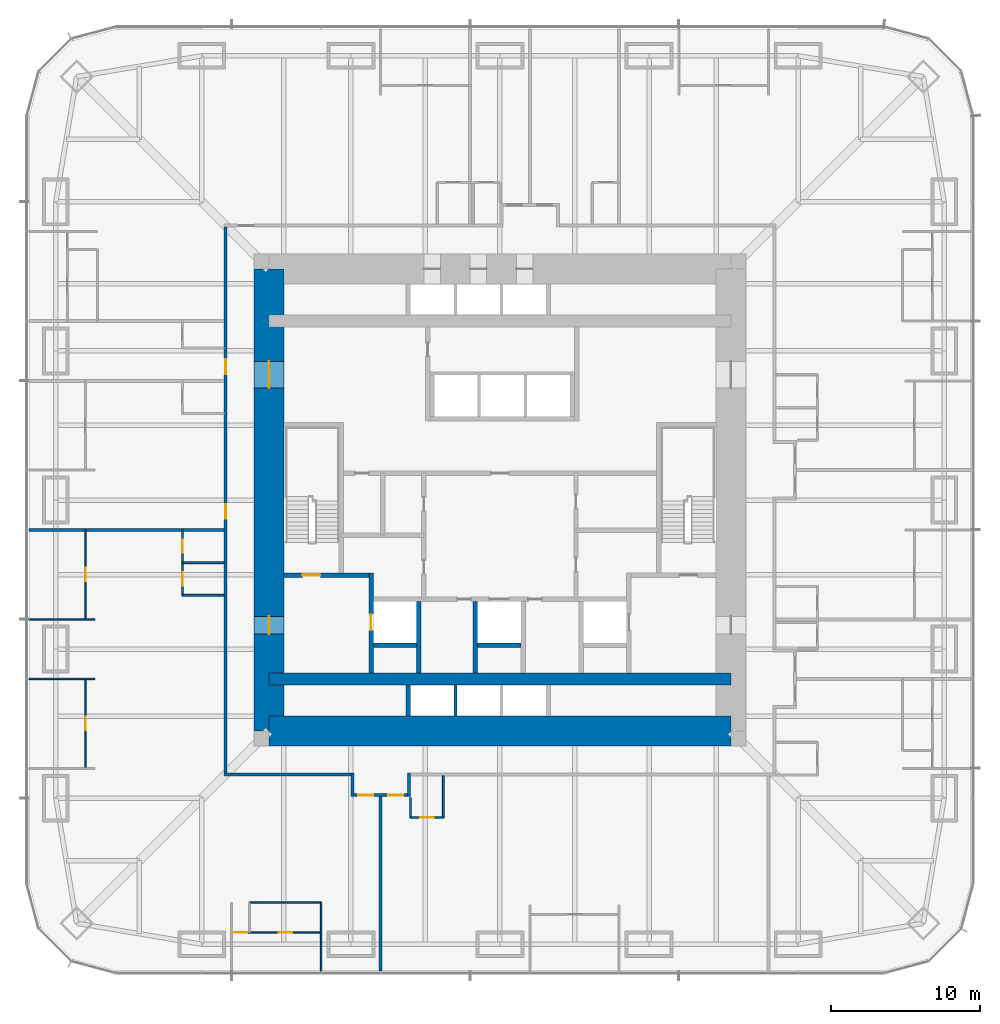
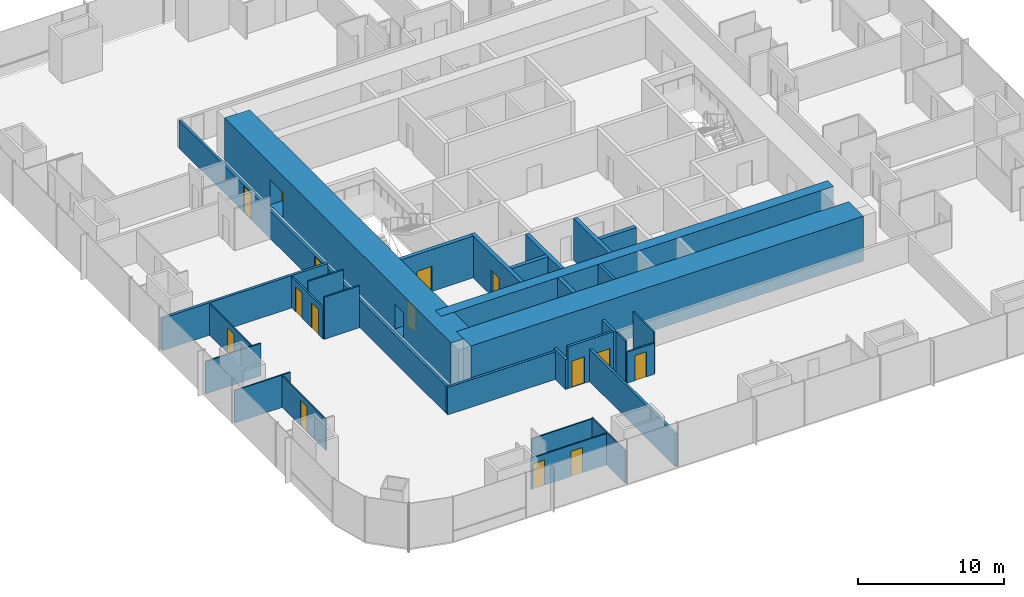
# One storey, part 12 of 17: 31 walls, 15 doors, 15 openings.
"""IFC4 building model written with IfcOpenShell, lengths in metres."""

from ifc_helpers import new_model, si_unit, direction, frame, frame_2d, origin, place, context, subcontext, project, spatial, rectangle, extrude, material, layer, layer_set, type_object, element, fill, save


model = new_model("IFC4")

# Units and contexts
model_context = context("Model", 3, precision=1e-05, world=origin(), true_north=direction((0.0, 1.0)))
body_context = subcontext(model_context, "Body", "Model", "MODEL_VIEW")
ifc_project = project(units=[si_unit("LENGTHUNIT", "METRE"), si_unit("AREAUNIT", "SQUARE_METRE"), si_unit("VOLUMEUNIT", "CUBIC_METRE"), si_unit("PLANEANGLEUNIT", "RADIAN"), si_unit("MASSUNIT", "GRAM", prefix="KILO")], contexts=[model_context])

# Site, building, storey
site_placement = place(None, origin())
site = spatial("IfcSite", under=ifc_project, at=site_placement, CompositionType="ELEMENT")
building_placement = place(site_placement, origin())
building = spatial("IfcBuilding", under=site, at=building_placement, Name="Khuree Lantern Residences", CompositionType="ELEMENT")
storey_placement = place(building_placement, frame((0.0, 0.0, 43.5)))
storey = spatial("IfcBuildingStorey", under=building, at=storey_placement, Name="L10", CompositionType="ELEMENT", Elevation=43.5)

# Wall, openings, doors
ifc_material_1 = material(Name="Moisture-resistant gypsum board on steel studs", Category="steel")
ifc_layer_1 = layer(ifc_material_1, 0.125)
ifc_layer_set_1 = layer_set([ifc_layer_1], Name="BATHROOM WALL BTW125")
wall_type_1 = type_object("IfcWallType", Name="BATHROOM WALL BTW125", PredefinedType="PARTITIONING", material=ifc_layer_set_1)
wall_1_placement = place(storey_placement, frame((-21.300048828125, -2.0, 0.0), z_axis=(0.0, 0.0, 1.0), x_axis=(0.0, -1.0, 0.0)))
wall_1 = element("IfcWall", 1, at=wall_1_placement, inside=storey, type_object=wall_type_1, Name="L10 BATHROOM WALL 08", PredefinedType="PARTITIONING", context=body_context, shape_type="SweptSolid", body=[
    extrude(rectangle(XDim=4.39990234375, YDim=0.125, at=frame_2d((2.199951171875, 0.0))), origin(), (0.0, 0.0, 1.0), 2.610107421875),
])
opening_1_placement = place(wall_1_placement, frame((0.64990234375, 0.0, 0.0)))
opening_1 = element("IfcOpeningElement", 2, at=opening_1_placement, cuts=wall_1, Name="Opening 10-050", PredefinedType="OPENING", context=body_context, shape_type="SweptSolid", body=[
    extrude(rectangle(XDim=0.89990234375, YDim=2.10009765625, at=frame_2d((0.449951171875, 1.050048828125))), frame((0.0, 0.072509765625, 0.0), z_axis=(0.0, -1.0, 0.0), x_axis=(1.0, 0.0, 0.0)), (0.0, 0.0, 1.0), 0.14501953125),
])
opening_2_placement = place(wall_1_placement, frame((2.85009765625, 0.0, 0.0)))
opening_2 = element("IfcOpeningElement", 3, at=opening_2_placement, cuts=wall_1, Name="Opening 10-051", PredefinedType="OPENING", context=body_context, shape_type="SweptSolid", body=[
    extrude(rectangle(XDim=0.89990234375, YDim=2.10009765625, at=frame_2d((0.449951171875, 1.050048828125))), frame((0.0, 0.072509765625, 0.0), z_axis=(0.0, -1.0, 0.0), x_axis=(1.0, 0.0, 0.0)), (0.0, 0.0, 1.0), 0.14501953125),
])
ifc_material_2 = material(Name="Timber door leaf in hardwood frame", Category="wood")
door_type_1 = type_object("IfcDoorType", Name="BATHROOM DOOR 900X2100", OperationType="SINGLE_SWING_LEFT", PredefinedType="DOOR", material=ifc_material_2)
door_1_placement = place(opening_1_placement, origin())
door_1 = element("IfcDoor", 4, at=door_1_placement, inside=storey, type_object=door_type_1, Name="Bathroom door 10-050", OperationType="SINGLE_SWING_LEFT", OverallHeight=2.10009765625, OverallWidth=0.89990234375, PredefinedType="DOOR", context=body_context, shape_type="SweptSolid", body=[
    extrude(rectangle(XDim=0.89990234375, YDim=2.10009765625, at=frame_2d((0.449951171875, 1.050048828125))), frame((0.0, 0.02490234375, 0.0), z_axis=(0.0, -1.0, 0.0), x_axis=(1.0, 0.0, 0.0)), (0.0, 0.0, 1.0), 0.050048828125),
])
fill(opening_1, door_1)
door_2_placement = place(opening_2_placement, origin())
door_2 = element("IfcDoor", 5, at=door_2_placement, inside=storey, type_object=door_type_1, Name="Bathroom door 10-051", OperationType="SINGLE_SWING_LEFT", OverallHeight=2.10009765625, OverallWidth=0.89990234375, PredefinedType="DOOR", context=body_context, shape_type="SweptSolid", body=[
    extrude(rectangle(XDim=0.89990234375, YDim=2.10009765625, at=frame_2d((0.449951171875, 1.050048828125))), frame((0.0, 0.02490234375, 0.0), z_axis=(0.0, -1.0, 0.0), x_axis=(1.0, 0.0, 0.0)), (0.0, 0.0, 1.0), 0.050048828125),
])
fill(opening_2, door_2)

# Walls
for number, where, z_axis, x_axis, name in (
    (6, (-18.5, -4.199951171875, 0.0), (0.0, 0.0, 1.0), (-1.0, 0.0, 0.0), "L10 BATHROOM WALL 08"),
    (7, (-18.5, -6.39990234375, 0.0), (0.0, 0.0, 1.0), (-1.0, 0.0, 0.0), "L10 BATHROOM WALL 08"),
):
    element("IfcWall", number, at=place(storey_placement, frame(where, z_axis=z_axis, x_axis=x_axis)), inside=storey, type_object=wall_type_1, Name=name, PredefinedType="PARTITIONING", context=body_context, shape_type="SweptSolid", body=[
        extrude(rectangle(XDim=2.800048828125, YDim=0.125, at=frame_2d((1.39990234375, 0.0))), origin(), (0.0, 0.0, 1.0), 3.5),
    ])

# Wall, opening, door
wall_2_placement = place(storey_placement, frame((-6.0, -21.300048828125, 0.0), z_axis=(0.0, 0.0, 1.0), x_axis=(1.0, 0.0, 0.0)))
wall_2 = element("IfcWall", 8, at=wall_2_placement, inside=storey, type_object=wall_type_1, Name="L10 BATHROOM WALL 09", PredefinedType="PARTITIONING", context=body_context, shape_type="SweptSolid", body=[
    extrude(rectangle(XDim=2.199951171875, YDim=0.125, at=frame_2d((1.10009765625, 0.0))), origin(), (0.0, 0.0, 1.0), 2.610107421875),
])
opening_3_placement = place(wall_2_placement, frame((0.64990234375, 0.0, 0.0)))
opening_3 = element("IfcOpeningElement", 9, at=opening_3_placement, cuts=wall_2, Name="Opening 10-054", PredefinedType="OPENING", context=body_context, shape_type="SweptSolid", body=[
    extrude(rectangle(XDim=0.89990234375, YDim=2.10009765625, at=frame_2d((0.449951171875, 1.050048828125))), frame((0.0, 0.072509765625, 0.0), z_axis=(0.0, -1.0, 0.0), x_axis=(1.0, 0.0, 0.0)), (0.0, 0.0, 1.0), 0.14501953125),
])
door_3_placement = place(opening_3_placement, origin())
door_3 = element("IfcDoor", 10, at=door_3_placement, inside=storey, type_object=door_type_1, Name="Bathroom door 10-054", OperationType="SINGLE_SWING_LEFT", OverallHeight=2.10009765625, OverallWidth=0.89990234375, PredefinedType="DOOR", context=body_context, shape_type="SweptSolid", body=[
    extrude(rectangle(XDim=0.89990234375, YDim=2.10009765625, at=frame_2d((0.449951171875, 1.050048828125))), frame((0.0, 0.02490234375, 0.0), z_axis=(0.0, -1.0, 0.0), x_axis=(1.0, 0.0, 0.0)), (0.0, 0.0, 1.0), 0.050048828125),
])
fill(opening_3, door_3)

# Walls
wall_3_placement = place(storey_placement, frame((-6.0, -19.969970703125, 0.0), z_axis=(0.0, 0.0, 1.0), x_axis=(0.0, -1.0, 0.0)))
element("IfcWall", 11, at=wall_3_placement, inside=storey, type_object=wall_type_1, Name="L10 BATHROOM WALL 09", PredefinedType="PARTITIONING", context=body_context, shape_type="SweptSolid", body=[
    extrude(rectangle(XDim=1.330078125, YDim=0.125, at=frame_2d((0.6650390625, 0.0))), origin(), (0.0, 0.0, 1.0), 3.5),
])
wall_4_placement = place(storey_placement, frame((-3.800048828125, -18.5, 0.0), z_axis=(0.0, 0.0, 1.0), x_axis=(0.0, -1.0, 0.0)))
element("IfcWall", 12, at=wall_4_placement, inside=storey, type_object=wall_type_1, Name="L10 BATHROOM WALL 09", PredefinedType="PARTITIONING", context=body_context, shape_type="SweptSolid", body=[
    extrude(rectangle(XDim=2.800048828125, YDim=0.125, at=frame_2d((1.39990234375, 0.0))), origin(), (0.0, 0.0, 1.0), 3.5),
])

# Wall, opening, door
ifc_material_3 = material(Name="Dense concrete blockwork", Category="masonry")
ifc_layer_2 = layer(ifc_material_3, 0.300048828125)
ifc_layer_set_2 = layer_set([ifc_layer_2], Name="CORE PARTITION WALL CPW300 EI 120")
wall_type_2 = type_object("IfcWallType", Name="CORE PARTITION WALL CPW300 EI 120", PredefinedType="PARTITIONING", material=ifc_layer_set_2)
wall_5_placement = place(storey_placement, frame((-8.64990234375, -11.60009765625, 0.0), z_axis=(0.0, 0.0, 1.0), x_axis=(0.0, 1.0, 0.0)))
wall_5 = element("IfcWall", 13, at=wall_5_placement, inside=storey, type_object=wall_type_2, Name="L10 CORE WALL FL1W", PredefinedType="PARTITIONING", context=body_context, shape_type="SweptSolid", body=[
    extrude(rectangle(XDim=6.7001953125, YDim=0.300048828125, at=frame_2d((3.35009765625, 0.0))), origin(), (0.0, 0.0, 1.0), 3.5),
])
opening_4_placement = place(wall_5_placement, frame((2.85009765625, 0.0, 0.0)))
opening_4 = element("IfcOpeningElement", 14, at=opening_4_placement, cuts=wall_5, Name="Opening 10-007", PredefinedType="OPENING", context=body_context, shape_type="SweptSolid", body=[
    extrude(rectangle(XDim=1.10009765625, YDim=2.10009765625, at=frame_2d((0.550048828125, 1.050048828125))), frame((0.0, 0.16015625, 0.0), z_axis=(0.0, -1.0, 0.0), x_axis=(1.0, 0.0, 0.0)), (0.0, 0.0, 1.0), 0.320068359375),
])
ifc_material_4 = material(Name="Stainless steel lift landing door", Category="steel")
door_type_2 = type_object("IfcDoorType", Name="LIFT LANDING DOOR 1100X2100 E 120", OperationType="DOUBLE_DOOR_SLIDING", PredefinedType="DOOR", material=ifc_material_4)
door_4_placement = place(opening_4_placement, origin())
door_4 = element("IfcDoor", 15, at=door_4_placement, inside=storey, type_object=door_type_2, Name="Landing door FL1 10-007", OperationType="DOUBLE_DOOR_SLIDING", OverallHeight=2.10009765625, OverallWidth=1.10009765625, PredefinedType="DOOR", context=body_context, shape_type="SweptSolid", body=[
    extrude(rectangle(XDim=1.10009765625, YDim=2.10009765625, at=frame_2d((0.550048828125, 1.050048828125))), frame((0.0, 0.02490234375, 0.0), z_axis=(0.0, -1.0, 0.0), x_axis=(1.0, 0.0, 0.0)), (0.0, 0.0, 1.0), 0.050048828125),
])
fill(opening_4, door_4)

# Walls
for number, where, z_axis, x_axis, name in (
    (16, (-5.449951171875, -11.60009765625, 0.0), (0.0, 0.0, 1.0), (0.0, 1.0, 0.0), "L10 CORE WALL FL1E"),
    (17, (-1.64990234375, -11.60009765625, 0.0), (0.0, 0.0, 1.0), (0.0, 1.0, 0.0), "L10 CORE WALL SL1W"),
):
    element("IfcWall", number, at=place(storey_placement, frame(where, z_axis=z_axis, x_axis=x_axis)), inside=storey, type_object=wall_type_2, Name=name, PredefinedType="PARTITIONING", context=body_context, shape_type="SweptSolid", body=[
        extrude(rectangle(XDim=4.800048828125, YDim=0.300048828125, at=frame_2d((2.39990234375, 0.0))), origin(), (0.0, 0.0, 1.0), 3.5),
    ])
for number, where, z_axis, x_axis, name in (
    (18, (-8.5, -9.75, 0.0), (0.0, 0.0, 1.0), (1.0, 0.0, 0.0), "L10 CORE WALL FL1S"),
    (19, (-1.5, -9.75, 0.0), (0.0, 0.0, 1.0), (1.0, 0.0, 0.0), "L10 CORE WALL SL1S"),
):
    element("IfcWall", number, at=place(storey_placement, frame(where, z_axis=z_axis, x_axis=x_axis)), inside=storey, type_object=wall_type_2, Name=name, PredefinedType="PARTITIONING", context=body_context, shape_type="SweptSolid", body=[
        extrude(rectangle(XDim=2.89990234375, YDim=0.300048828125, at=frame_2d((1.449951171875, 0.0))), origin(), (0.0, 0.0, 1.0), 3.5),
    ])
wall_6_placement = place(storey_placement, frame((-6.14990234375, -14.5, 0.0), z_axis=(0.0, 0.0, 1.0), x_axis=(0.0, 1.0, 0.0)))
element("IfcWall", 20, at=wall_6_placement, inside=storey, type_object=wall_type_2, Name="L10 CORE WALL PMW", PredefinedType="PARTITIONING", context=body_context, shape_type="SweptSolid", body=[
    extrude(rectangle(XDim=2.10009765625, YDim=0.300048828125, at=frame_2d((1.050048828125, 0.0))), origin(), (0.0, 0.0, 1.0), 3.5),
])

# Wall, openings, doors
ifc_material_5 = material(Name="Gypsum board on steel studs", Category="steel")
ifc_layer_3 = layer(ifc_material_5, 0.199951171875)
ifc_layer_set_3 = layer_set([ifc_layer_3], Name="CORRIDOR WALL CRW200 EI 60")
wall_type_3 = type_object("IfcWallType", Name="CORRIDOR WALL CRW200 EI 60", PredefinedType="PARTITIONING", material=ifc_layer_set_3)
wall_7_placement = place(storey_placement, frame((-18.39990234375, 18.300048828125, 0.0), z_axis=(0.0, 0.0, 1.0), x_axis=(0.0, -1.0, 0.0)))
wall_7 = element("IfcWall", 21, at=wall_7_placement, inside=storey, type_object=wall_type_3, Name="L10 CORRIDOR WALL WEST 1", PredefinedType="PARTITIONING", context=body_context, shape_type="SweptSolid", body=[
    extrude(rectangle(XDim=36.60009765625, YDim=0.199951171875, at=frame_2d((18.300048828125, 0.0))), origin(), (0.0, 0.0, 1.0), 2.300048828125),
])
opening_5_placement = place(wall_7_placement, frame((8.8701171875, 0.0, 0.0)))
opening_5 = element("IfcOpeningElement", 22, at=opening_5_placement, cuts=wall_7, Name="Opening 10-042", PredefinedType="OPENING", context=body_context, shape_type="SweptSolid", body=[
    extrude(rectangle(XDim=1.0, YDim=2.199951171875, at=frame_2d((0.5, 1.10009765625))), frame((0.0, 0.10986328125, 0.0), z_axis=(0.0, -1.0, 0.0), x_axis=(1.0, 0.0, 0.0)), (0.0, 0.0, 1.0), 0.219970703125),
])
opening_6_placement = place(wall_7_placement, frame((18.570068359375, 0.0, 0.0)))
opening_6 = element("IfcOpeningElement", 23, at=opening_6_placement, cuts=wall_7, Name="Opening 10-045", PredefinedType="OPENING", context=body_context, shape_type="SweptSolid", body=[
    extrude(rectangle(XDim=1.0, YDim=2.199951171875, at=frame_2d((0.5, 1.10009765625))), frame((0.0, 0.10986328125, 0.0), z_axis=(0.0, -1.0, 0.0), x_axis=(1.0, 0.0, 0.0)), (0.0, 0.0, 1.0), 0.219970703125),
])
door_type_3 = type_object("IfcDoorType", Name="APARTMENT ENTRANCE DOOR 1000X2200 EI 30S", OperationType="SINGLE_SWING_LEFT", PredefinedType="DOOR", material=ifc_material_2)
door_5_placement = place(opening_5_placement, origin())
door_5 = element("IfcDoor", 24, at=door_5_placement, inside=storey, type_object=door_type_3, Name="Apartment 06 entrance door 10-042", OperationType="SINGLE_SWING_LEFT", OverallHeight=2.199951171875, OverallWidth=1.0, PredefinedType="DOOR", context=body_context, shape_type="SweptSolid", body=[
    extrude(rectangle(XDim=1.0, YDim=2.199951171875, at=frame_2d((0.5, 1.10009765625))), frame((0.0, 0.02490234375, 0.0), z_axis=(0.0, -1.0, 0.0), x_axis=(1.0, 0.0, 0.0)), (0.0, 0.0, 1.0), 0.050048828125),
])
fill(opening_5, door_5)
door_6_placement = place(opening_6_placement, origin())
door_6 = element("IfcDoor", 25, at=door_6_placement, inside=storey, type_object=door_type_3, Name="Apartment 07 entrance door 10-045", OperationType="SINGLE_SWING_LEFT", OverallHeight=2.199951171875, OverallWidth=1.0, PredefinedType="DOOR", context=body_context, shape_type="SweptSolid", body=[
    extrude(rectangle(XDim=1.0, YDim=2.199951171875, at=frame_2d((0.5, 1.10009765625))), frame((0.0, 0.02490234375, 0.0), z_axis=(0.0, -1.0, 0.0), x_axis=(1.0, 0.0, 0.0)), (0.0, 0.0, 1.0), 0.050048828125),
])
fill(opening_6, door_6)

# Walls
wall_8_placement = place(storey_placement, frame((-6.10009765625, -18.300048828125, 0.0), z_axis=(0.0, 0.0, 1.0), x_axis=(0.0, -1.0, 0.0)))
element("IfcWall", 26, at=wall_8_placement, inside=storey, type_object=wall_type_3, Name="L10 CORRIDOR ALCOVE WALL SOUTH", PredefinedType="PARTITIONING", context=body_context, shape_type="SweptSolid", body=[
    extrude(rectangle(XDim=1.599853515625, YDim=0.199951171875, at=frame_2d((0.7998046875, 0.0))), origin(), (0.0, 0.0, 1.0), 3.5),
])
wall_9_placement = place(storey_placement, frame((-9.89990234375, -18.300048828125, 0.0), z_axis=(0.0, 0.0, 1.0), x_axis=(0.0, -1.0, 0.0)))
element("IfcWall", 27, at=wall_9_placement, inside=storey, type_object=wall_type_3, Name="L10 CORRIDOR ALCOVE WALL SOUTH", PredefinedType="PARTITIONING", context=body_context, shape_type="SweptSolid", body=[
    extrude(rectangle(XDim=1.599853515625, YDim=0.199951171875, at=frame_2d((0.7998046875, 0.0))), origin(), (0.0, 0.0, 1.0), 2.491943359375),
])

# Wall, openings, doors
wall_10_placement = place(storey_placement, frame((-6.199951171875, -19.800048828125, 0.0), z_axis=(0.0, 0.0, 1.0), x_axis=(-1.0, 0.0, 0.0)))
wall_10 = element("IfcWall", 28, at=wall_10_placement, inside=storey, type_object=wall_type_3, Name="L10 CORRIDOR ALCOVE WALL SOUTH", PredefinedType="PARTITIONING", context=body_context, shape_type="SweptSolid", body=[
    extrude(rectangle(XDim=3.60009765625, YDim=0.199951171875, at=frame_2d((1.800048828125, 0.0))), origin(), (0.0, 0.0, 1.0), 3.5),
])
opening_7_placement = place(wall_10_placement, frame((2.300048828125, 0.0, 0.0)))
opening_7 = element("IfcOpeningElement", 29, at=opening_7_placement, cuts=wall_10, Name="Opening 10-052", PredefinedType="OPENING", context=body_context, shape_type="SweptSolid", body=[
    extrude(rectangle(XDim=1.0, YDim=2.199951171875, at=frame_2d((0.5, 1.10009765625))), frame((0.0, 0.10986328125, 0.0), z_axis=(0.0, -1.0, 0.0), x_axis=(1.0, 0.0, 0.0)), (0.0, 0.0, 1.0), 0.219970703125),
])
opening_8_placement = place(wall_10_placement, frame((0.300048828125, 0.0, 0.0)))
opening_8 = element("IfcOpeningElement", 30, at=opening_8_placement, cuts=wall_10, Name="Opening 10-055", PredefinedType="OPENING", context=body_context, shape_type="SweptSolid", body=[
    extrude(rectangle(XDim=1.0, YDim=2.199951171875, at=frame_2d((0.5, 1.10009765625))), frame((0.0, 0.10986328125, 0.0), z_axis=(0.0, -1.0, 0.0), x_axis=(1.0, 0.0, 0.0)), (0.0, 0.0, 1.0), 0.219970703125),
])
door_7_placement = place(opening_7_placement, origin())
door_7 = element("IfcDoor", 31, at=door_7_placement, inside=storey, type_object=door_type_3, Name="Apartment 08 entrance door 10-052", OperationType="SINGLE_SWING_LEFT", OverallHeight=2.199951171875, OverallWidth=1.0, PredefinedType="DOOR", context=body_context, shape_type="SweptSolid", body=[
    extrude(rectangle(XDim=1.0, YDim=2.199951171875, at=frame_2d((0.5, 1.10009765625))), frame((0.0, 0.02490234375, 0.0), z_axis=(0.0, -1.0, 0.0), x_axis=(1.0, 0.0, 0.0)), (0.0, 0.0, 1.0), 0.050048828125),
])
fill(opening_7, door_7)
door_8_placement = place(opening_8_placement, origin())
door_8 = element("IfcDoor", 32, at=door_8_placement, inside=storey, type_object=door_type_3, Name="Apartment 09 entrance door 10-055", OperationType="SINGLE_SWING_LEFT", OverallHeight=2.199951171875, OverallWidth=1.0, PredefinedType="DOOR", context=body_context, shape_type="SweptSolid", body=[
    extrude(rectangle(XDim=1.0, YDim=2.199951171875, at=frame_2d((0.5, 1.10009765625))), frame((0.0, 0.02490234375, 0.0), z_axis=(0.0, -1.0, 0.0), x_axis=(1.0, 0.0, 0.0)), (0.0, 0.0, 1.0), 0.050048828125),
])
fill(opening_8, door_8)

# Walls
wall_11_placement = place(storey_placement, frame((-10.0, -18.39990234375, 0.0), z_axis=(0.0, 0.0, 1.0), x_axis=(-1.0, 0.0, 0.0)))
element("IfcWall", 33, at=wall_11_placement, inside=storey, type_object=wall_type_3, Name="L10 CORRIDOR WALL SOUTH 2", PredefinedType="PARTITIONING", context=body_context, shape_type="SweptSolid", body=[
    extrude(rectangle(XDim=8.5, YDim=0.199951171875, at=frame_2d((4.25, 0.0))), origin(), (0.0, 0.0, 1.0), 2.300048828125),
])
ifc_material_6 = material(Name="Concrete C70/85", Category="concrete")
ifc_layer_4 = layer(ifc_material_6, 2.0)
ifc_layer_set_4 = layer_set([ifc_layer_4], Name="CW2000-C70 CORE WALL C70 2000")
wall_type_4 = type_object("IfcWallType", Name="CW2000-C70 CORE WALL C70 2000", PredefinedType="SHEAR", material=ifc_layer_set_4)
wall_12_placement = place(storey_placement, frame((-15.5, -15.5, -0.25), z_axis=(0.0, 0.0, 1.0), x_axis=(1.0, 0.0, 0.0)))
element("IfcWall", 34, at=wall_12_placement, inside=storey, type_object=wall_type_4, Name="Core wall S", PredefinedType="SHEAR", context=body_context, shape_type="SweptSolid", body=[
    extrude(rectangle(XDim=31.0, YDim=2.0, at=frame_2d((15.5, 0.0))), origin(), (0.0, 0.0, 1.0), 3.75),
])

# Wall, openings, doors
wall_13_placement = place(storey_placement, frame((-15.5, -15.5, -0.25), z_axis=(0.0, 0.0, 1.0), x_axis=(0.0, 1.0, 0.0)))
wall_13 = element("IfcWall", 35, at=wall_13_placement, inside=storey, type_object=wall_type_4, Name="Core wall W", PredefinedType="SHEAR", context=body_context, shape_type="SweptSolid", body=[
    extrude(rectangle(XDim=31.0, YDim=2.0, at=frame_2d((15.5, 0.0))), origin(), (0.0, 0.0, 1.0), 3.75),
])
opening_9_placement = place(wall_13_placement, frame((6.5, 0.0, 0.25)))
opening_9 = element("IfcOpeningElement", 36, at=opening_9_placement, cuts=wall_13, Name="Opening 10-002", PredefinedType="OPENING", context=body_context, shape_type="SweptSolid", body=[
    extrude(rectangle(XDim=1.199951171875, YDim=2.10009765625, at=frame_2d((0.60009765625, 1.050048828125))), frame((0.0, 1.010009765625, 0.0), z_axis=(0.0, -1.0, 0.0), x_axis=(1.0, 0.0, 0.0)), (0.0, 0.0, 1.0), 2.02001953125),
])
opening_10_placement = place(wall_13_placement, frame((23.0, 0.0, 0.25)))
opening_10 = element("IfcOpeningElement", 37, at=opening_10_placement, cuts=wall_13, Name="Opening 10-003", PredefinedType="OPENING", context=body_context, shape_type="SweptSolid", body=[
    extrude(rectangle(XDim=1.800048828125, YDim=2.10009765625, at=frame_2d((0.89990234375, 1.050048828125))), frame((0.0, 1.010009765625, 0.0), z_axis=(0.0, -1.0, 0.0), x_axis=(1.0, 0.0, 0.0)), (0.0, 0.0, 1.0), 2.02001953125),
])
ifc_material_7 = material(Name="Steel door leaf in steel frame", Category="steel")
door_type_4 = type_object("IfcDoorType", Name="LOBBY DOOR 1200X2100 EI 120", OperationType="SINGLE_SWING_LEFT", PredefinedType="DOOR", material=ifc_material_7)
door_9_placement = place(opening_9_placement, origin())
door_9 = element("IfcDoor", 38, at=door_9_placement, inside=storey, type_object=door_type_4, Name="Firefighting lobby door 10-002", OperationType="SINGLE_SWING_LEFT", OverallHeight=2.10009765625, OverallWidth=1.199951171875, PredefinedType="DOOR", context=body_context, shape_type="SweptSolid", body=[
    extrude(rectangle(XDim=1.199951171875, YDim=2.10009765625, at=frame_2d((0.60009765625, 1.050048828125))), frame((0.0, 0.02490234375, 0.0), z_axis=(0.0, -1.0, 0.0), x_axis=(1.0, 0.0, 0.0)), (0.0, 0.0, 1.0), 0.050048828125),
])
fill(opening_9, door_9)
door_type_5 = type_object("IfcDoorType", Name="LOBBY DOUBLE DOOR 1800X2100 EI 60", OperationType="DOUBLE_DOOR_SINGLE_SWING", PredefinedType="DOOR", material=ifc_material_7)
door_10_placement = place(opening_10_placement, origin())
door_10 = element("IfcDoor", 39, at=door_10_placement, inside=storey, type_object=door_type_5, Name="Lift lobby door 10-003", OperationType="DOUBLE_DOOR_SINGLE_SWING", OverallHeight=2.10009765625, OverallWidth=1.800048828125, PredefinedType="DOOR", context=body_context, shape_type="SweptSolid", body=[
    extrude(rectangle(XDim=1.800048828125, YDim=2.10009765625, at=frame_2d((0.89990234375, 1.050048828125))), frame((0.0, 0.02490234375, 0.0), z_axis=(0.0, -1.0, 0.0), x_axis=(1.0, 0.0, 0.0)), (0.0, 0.0, 1.0), 0.050048828125),
])
fill(opening_10, door_10)

# Walls
ifc_layer_5 = layer(ifc_material_5, 0.199951171875)
ifc_layer_set_5 = layer_set([ifc_layer_5], Name="DEMISING WALL DMW200 EI 90")
wall_type_5 = type_object("IfcWallType", Name="DEMISING WALL DMW200 EI 90", PredefinedType="PARTITIONING", material=ifc_layer_set_5)
wall_14_placement = place(storey_placement, frame((-18.5, -2.0, 0.0), z_axis=(0.0, 0.0, 1.0), x_axis=(-1.0, 0.0, 0.0)))
element("IfcWall", 40, at=wall_14_placement, inside=storey, type_object=wall_type_5, Name="L10 DEMISING WALL 08", PredefinedType="PARTITIONING", context=body_context, shape_type="SweptSolid", body=[
    extrude(rectangle(XDim=13.10009765625, YDim=0.199951171875, at=frame_2d((6.550048828125, 0.0))), origin(), (0.0, 0.0, 1.0), 2.7099609375),
])
wall_15_placement = place(storey_placement, frame((-8.0, -19.89990234375, 0.0), z_axis=(0.0, 0.0, 1.0), x_axis=(0.0, -1.0, 0.0)))
element("IfcWall", 41, at=wall_15_placement, inside=storey, type_object=wall_type_5, Name="L10 DEMISING WALL 09", PredefinedType="PARTITIONING", context=body_context, shape_type="SweptSolid", body=[
    extrude(rectangle(XDim=11.7001953125, YDim=0.199951171875, at=frame_2d((5.85009765625, 0.0))), origin(), (0.0, 0.0, 1.0), 2.7099609375),
])
ifc_layer_6 = layer(ifc_material_5, 0.10009765625)
ifc_layer_set_6 = layer_set([ifc_layer_6], Name="PARTITION PT100")
wall_type_6 = type_object("IfcWallType", Name="PARTITION PT100", PredefinedType="PARTITIONING", material=ifc_layer_set_6)
for number, where, z_axis, x_axis, name in (
    (42, (-27.199951171875, -8.0, 0.0), (0.0, 0.0, 1.0), (-1.0, 0.0, 0.0), "L10 PARTITION 08"),
    (43, (-27.199951171875, -12.0, 0.0), (0.0, 0.0, 1.0), (-1.0, 0.0, 0.0), "L10 PARTITION 08"),
):
    element("IfcWall", number, at=place(storey_placement, frame(where, z_axis=z_axis, x_axis=x_axis)), inside=storey, type_object=wall_type_6, Name=name, PredefinedType="PARTITIONING", context=body_context, shape_type="SweptSolid", body=[
        extrude(rectangle(XDim=4.400146484375, YDim=0.10009765625, at=frame_2d((2.2001953125, 0.0))), origin(), (0.0, 0.0, 1.0), 2.7099609375),
    ])
wall_16_placement = place(storey_placement, frame((-12.0, -27.0166015625, 0.0), z_axis=(0.0, 0.0, 1.0), x_axis=(0.0, -1.0, 0.0)))
element("IfcWall", 44, at=wall_16_placement, inside=storey, type_object=wall_type_6, Name="L10 PARTITION 08", PredefinedType="PARTITIONING", context=body_context, shape_type="SweptSolid", body=[
    extrude(rectangle(XDim=4.58349609375, YDim=0.10009765625, at=frame_2d((2.291748046875, 0.0))), origin(), (0.0, 0.0, 1.0), 2.7099609375),
])

# Wall, opening, door
wall_17_placement = place(storey_placement, frame((-27.800048828125, -2.0, 0.0), z_axis=(0.0, 0.0, 1.0), x_axis=(0.0, -1.0, 0.0)))
wall_17 = element("IfcWall", 45, at=wall_17_placement, inside=storey, type_object=wall_type_6, Name="L10 PARTITION 08", PredefinedType="PARTITIONING", context=body_context, shape_type="SweptSolid", body=[
    extrude(rectangle(XDim=6.0, YDim=0.10009765625, at=frame_2d((3.0, 0.0))), origin(), (0.0, 0.0, 1.0), 2.610107421875),
])
opening_11_placement = place(wall_17_placement, frame((2.550048828125, 0.0, 0.0)))
opening_11 = element("IfcOpeningElement", 46, at=opening_11_placement, cuts=wall_17, Name="Opening 10-046", PredefinedType="OPENING", context=body_context, shape_type="SweptSolid", body=[
    extrude(rectangle(XDim=0.89990234375, YDim=2.10009765625, at=frame_2d((0.449951171875, 1.050048828125))), frame((0.0, 0.06005859375, 0.0), z_axis=(0.0, -1.0, 0.0), x_axis=(1.0, 0.0, 0.0)), (0.0, 0.0, 1.0), 0.1201171875),
])
door_type_6 = type_object("IfcDoorType", Name="BEDROOM DOOR 900X2100", OperationType="SINGLE_SWING_LEFT", PredefinedType="DOOR", material=ifc_material_2)
door_11_placement = place(opening_11_placement, origin())
door_11 = element("IfcDoor", 47, at=door_11_placement, inside=storey, type_object=door_type_6, Name="Bedroom door 10-046", OperationType="SINGLE_SWING_LEFT", OverallHeight=2.10009765625, OverallWidth=0.89990234375, PredefinedType="DOOR", context=body_context, shape_type="SweptSolid", body=[
    extrude(rectangle(XDim=0.89990234375, YDim=2.10009765625, at=frame_2d((0.449951171875, 1.050048828125))), frame((0.0, 0.02490234375, 0.0), z_axis=(0.0, -1.0, 0.0), x_axis=(1.0, 0.0, 0.0)), (0.0, 0.0, 1.0), 0.050048828125),
])
fill(opening_11, door_11)

wall_18_placement = place(storey_placement, frame((-27.800048828125, -12.0, 0.0), z_axis=(0.0, 0.0, 1.0), x_axis=(0.0, -1.0, 0.0)))
wall_18 = element("IfcWall", 48, at=wall_18_placement, inside=storey, type_object=wall_type_6, Name="L10 PARTITION 08", PredefinedType="PARTITIONING", context=body_context, shape_type="SweptSolid", body=[
    extrude(rectangle(XDim=6.0, YDim=0.10009765625, at=frame_2d((3.0, 0.0))), origin(), (0.0, 0.0, 1.0), 2.610107421875),
])
opening_12_placement = place(wall_18_placement, frame((2.550048828125, 0.0, 0.0)))
opening_12 = element("IfcOpeningElement", 49, at=opening_12_placement, cuts=wall_18, Name="Opening 10-047", PredefinedType="OPENING", context=body_context, shape_type="SweptSolid", body=[
    extrude(rectangle(XDim=0.89990234375, YDim=2.10009765625, at=frame_2d((0.449951171875, 1.050048828125))), frame((0.0, 0.06005859375, 0.0), z_axis=(0.0, -1.0, 0.0), x_axis=(1.0, 0.0, 0.0)), (0.0, 0.0, 1.0), 0.1201171875),
])
door_12_placement = place(opening_12_placement, origin())
door_12 = element("IfcDoor", 50, at=door_12_placement, inside=storey, type_object=door_type_6, Name="Bedroom door 10-047", OperationType="SINGLE_SWING_LEFT", OverallHeight=2.10009765625, OverallWidth=0.89990234375, PredefinedType="DOOR", context=body_context, shape_type="SweptSolid", body=[
    extrude(rectangle(XDim=0.89990234375, YDim=2.10009765625, at=frame_2d((0.449951171875, 1.050048828125))), frame((0.0, 0.02490234375, 0.0), z_axis=(0.0, -1.0, 0.0), x_axis=(1.0, 0.0, 0.0)), (0.0, 0.0, 1.0), 0.050048828125),
])
fill(opening_12, door_12)

# Wall, openings, doors
wall_19_placement = place(storey_placement, frame((-18.0, -29.0166015625, 0.0), z_axis=(0.0, 0.0, 1.0), x_axis=(1.0, 0.0, 0.0)))
wall_19 = element("IfcWall", 51, at=wall_19_placement, inside=storey, type_object=wall_type_6, Name="L10 PARTITION 08", PredefinedType="PARTITIONING", context=body_context, shape_type="SweptSolid", body=[
    extrude(rectangle(XDim=6.0, YDim=0.10009765625, at=frame_2d((3.0, 0.0))), origin(), (0.0, 0.0, 1.0), 2.610107421875),
])
opening_13_placement = place(wall_19_placement, frame((0.14990234375, 0.0, 0.0)))
opening_13 = element("IfcOpeningElement", 52, at=opening_13_placement, cuts=wall_19, Name="Opening 10-048", PredefinedType="OPENING", context=body_context, shape_type="SweptSolid", body=[
    extrude(rectangle(XDim=0.89990234375, YDim=2.10009765625, at=frame_2d((0.449951171875, 1.050048828125))), frame((0.0, 0.06005859375, 0.0), z_axis=(0.0, -1.0, 0.0), x_axis=(1.0, 0.0, 0.0)), (0.0, 0.0, 1.0), 0.1201171875),
])
opening_14_placement = place(wall_19_placement, frame((3.14990234375, 0.0, 0.0)))
opening_14 = element("IfcOpeningElement", 53, at=opening_14_placement, cuts=wall_19, Name="Opening 10-049", PredefinedType="OPENING", context=body_context, shape_type="SweptSolid", body=[
    extrude(rectangle(XDim=0.89990234375, YDim=2.10009765625, at=frame_2d((0.449951171875, 1.050048828125))), frame((0.0, 0.06005859375, 0.0), z_axis=(0.0, -1.0, 0.0), x_axis=(1.0, 0.0, 0.0)), (0.0, 0.0, 1.0), 0.1201171875),
])
door_13_placement = place(opening_13_placement, origin())
door_13 = element("IfcDoor", 54, at=door_13_placement, inside=storey, type_object=door_type_6, Name="Bedroom door 10-048", OperationType="SINGLE_SWING_LEFT", OverallHeight=2.10009765625, OverallWidth=0.89990234375, PredefinedType="DOOR", context=body_context, shape_type="SweptSolid", body=[
    extrude(rectangle(XDim=0.89990234375, YDim=2.10009765625, at=frame_2d((0.449951171875, 1.050048828125))), frame((0.0, 0.02490234375, 0.0), z_axis=(0.0, -1.0, 0.0), x_axis=(1.0, 0.0, 0.0)), (0.0, 0.0, 1.0), 0.050048828125),
])
fill(opening_13, door_13)
door_type_7 = type_object("IfcDoorType", Name="DOOR 900X2100", OperationType="SINGLE_SWING_LEFT", PredefinedType="DOOR", material=ifc_material_2)
door_14_placement = place(opening_14_placement, origin())
door_14 = element("IfcDoor", 55, at=door_14_placement, inside=storey, type_object=door_type_7, Name="Wardrobe door 10-049", OperationType="SINGLE_SWING_LEFT", OverallHeight=2.10009765625, OverallWidth=0.89990234375, PredefinedType="DOOR", context=body_context, shape_type="SweptSolid", body=[
    extrude(rectangle(XDim=0.89990234375, YDim=2.10009765625, at=frame_2d((0.449951171875, 1.050048828125))), frame((0.0, 0.02490234375, 0.0), z_axis=(0.0, -1.0, 0.0), x_axis=(1.0, 0.0, 0.0)), (0.0, 0.0, 1.0), 0.050048828125),
])
fill(opening_14, door_14)

# Walls
wall_20_placement = place(storey_placement, frame((-16.800048828125, -27.0166015625, 0.0), z_axis=(0.0, 0.0, 1.0), x_axis=(1.0, 0.0, 0.0)))
element("IfcWall", 56, at=wall_20_placement, inside=storey, type_object=wall_type_6, Name="L10 PARTITION 08", PredefinedType="PARTITIONING", context=body_context, shape_type="SweptSolid", body=[
    extrude(rectangle(XDim=4.800048828125, YDim=0.10009765625, at=frame_2d((2.39990234375, 0.0))), origin(), (0.0, 0.0, 1.0), 2.610107421875),
])
ifc_layer_7 = layer(ifc_material_3, 0.199951171875)
ifc_layer_set_7 = layer_set([ifc_layer_7], Name="SHAFT WALL SHW200 EI 120")
wall_type_7 = type_object("IfcWallType", Name="SHAFT WALL SHW200 EI 120", PredefinedType="PARTITIONING", material=ifc_layer_set_7)
wall_21_placement = place(storey_placement, frame((-3.0, -14.5, 0.0), z_axis=(0.0, 0.0, 1.0), x_axis=(0.0, 1.0, 0.0)))
element("IfcWall", 57, at=wall_21_placement, inside=storey, type_object=wall_type_7, Name="L10 CORE WALL PMD1", PredefinedType="PARTITIONING", context=body_context, shape_type="SweptSolid", body=[
    extrude(rectangle(XDim=2.10009765625, YDim=0.199951171875, at=frame_2d((1.050048828125, 0.0))), origin(), (0.0, 0.0, 1.0), 3.5),
])
ifc_layer_8 = layer(ifc_material_6, 0.800048828125)
ifc_layer_set_8 = layer_set([ifc_layer_8], Name="SP800-C70 CORE SPINE WALL C70 800")
wall_type_8 = type_object("IfcWallType", Name="SP800-C70 CORE SPINE WALL C70 800", PredefinedType="SHEAR", material=ifc_layer_set_8)
wall_22_placement = place(storey_placement, frame((-15.5, -12.0, -0.25), z_axis=(0.0, 0.0, 1.0), x_axis=(1.0, 0.0, 0.0)))
element("IfcWall", 58, at=wall_22_placement, inside=storey, type_object=wall_type_8, Name="Core wall SPS", PredefinedType="SHEAR", context=body_context, shape_type="SweptSolid", body=[
    extrude(rectangle(XDim=31.0, YDim=0.800048828125, at=frame_2d((15.5, 0.0))), origin(), (0.0, 0.0, 1.0), 3.75),
])

# Wall, opening, door
ifc_material_8 = material(Name="Concrete C50/60", Category="concrete")
ifc_layer_9 = layer(ifc_material_8, 0.300048828125)
ifc_layer_set_9 = layer_set([ifc_layer_9], Name="STAIR WALL SRW300 C50/60 REI 240")
wall_type_9 = type_object("IfcWallType", Name="STAIR WALL SRW300 C50/60 REI 240", PredefinedType="SOLIDWALL", material=ifc_layer_set_9)
wall_23_placement = place(storey_placement, frame((-14.5, -5.050048828125, 0.0), z_axis=(0.0, 0.0, 1.0), x_axis=(1.0, 0.0, 0.0)))
wall_23 = element("IfcWall", 59, at=wall_23_placement, inside=storey, type_object=wall_type_9, Name="L10 STAIR WALL ST1S", PredefinedType="SOLIDWALL", context=body_context, shape_type="SweptSolid", body=[
    extrude(rectangle(XDim=5.699951171875, YDim=0.300048828125, at=frame_2d((2.85009765625, 0.0))), origin(), (0.0, 0.0, 1.0), 3.5),
])
opening_15_placement = place(wall_23_placement, frame((1.25, 0.0, 0.0)))
opening_15 = element("IfcOpeningElement", 60, at=opening_15_placement, cuts=wall_23, Name="Opening 10-001", PredefinedType="OPENING", context=body_context, shape_type="SweptSolid", body=[
    extrude(rectangle(XDim=1.199951171875, YDim=2.10009765625, at=frame_2d((0.60009765625, 1.050048828125))), frame((0.0, 0.16015625, 0.0), z_axis=(0.0, -1.0, 0.0), x_axis=(1.0, 0.0, 0.0)), (0.0, 0.0, 1.0), 0.320068359375),
])
door_type_8 = type_object("IfcDoorType", Name="STAIR DOOR 1200X2100 EI 120", OperationType="SINGLE_SWING_LEFT", PredefinedType="DOOR", material=ifc_material_7)
door_15_placement = place(opening_15_placement, origin())
door_15 = element("IfcDoor", 61, at=door_15_placement, inside=storey, type_object=door_type_8, Name="Stair ST1 door 10-001", OperationType="SINGLE_SWING_LEFT", OverallHeight=2.10009765625, OverallWidth=1.199951171875, PredefinedType="DOOR", context=body_context, shape_type="SweptSolid", body=[
    extrude(rectangle(XDim=1.199951171875, YDim=2.10009765625, at=frame_2d((0.60009765625, 1.050048828125))), frame((0.0, 0.02490234375, 0.0), z_axis=(0.0, -1.0, 0.0), x_axis=(1.0, 0.0, 0.0)), (0.0, 0.0, 1.0), 0.050048828125),
])
fill(opening_15, door_15)

save(model, "model.ifc")
